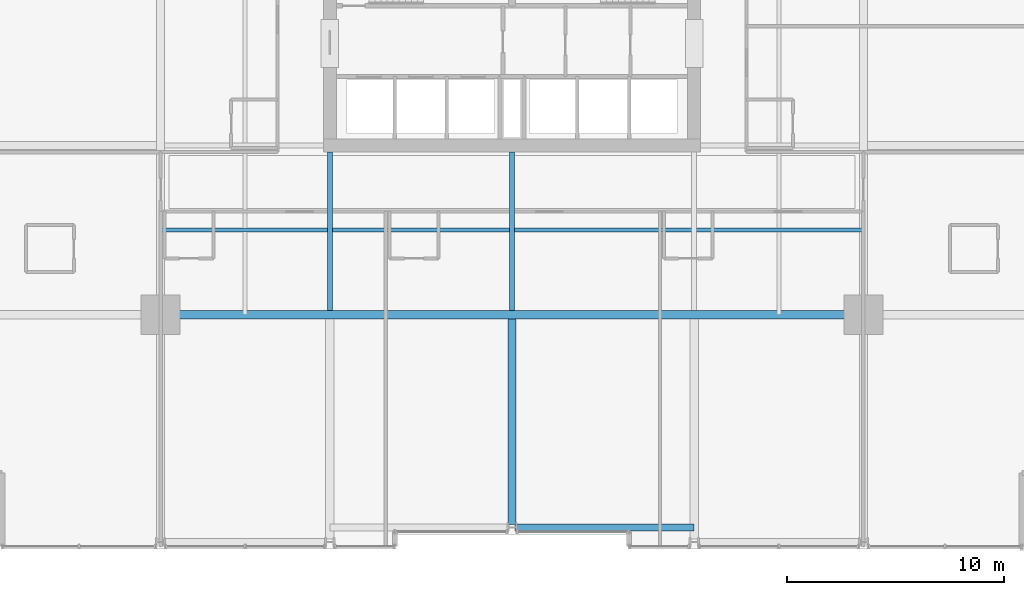
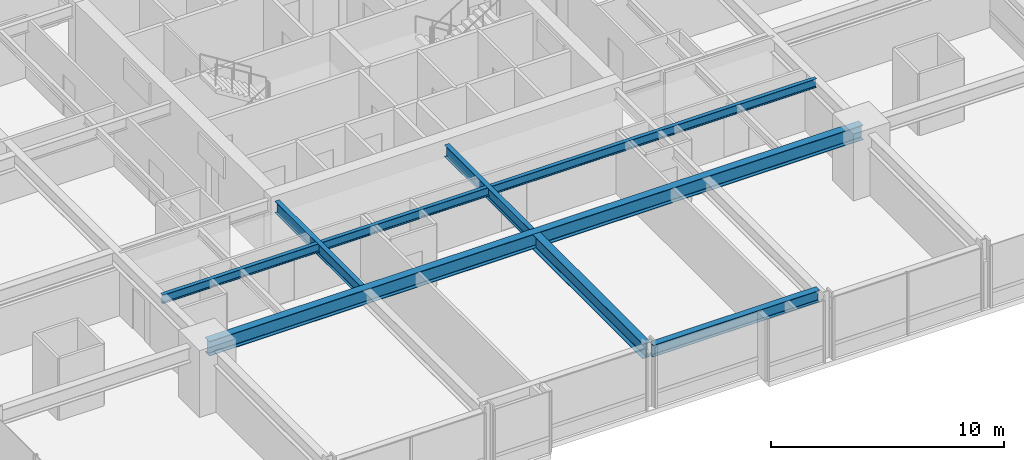
# One storey, part 6 of 38: 6 beams.
"""IFC4 building model written with IfcOpenShell, lengths in metres."""

from ifc_helpers import new_model, si_unit, direction, frame, origin, origin_2d, place, context, subcontext, project, spatial, i_section, extrude, material, material_profile, profile_set, type_object, element, save


model = new_model("IFC4")

# Units and contexts
model_context = context("Model", 3, precision=1e-05, world=origin(), true_north=direction((0.0, 1.0)))
body_context = subcontext(model_context, "Body", "Model", "MODEL_VIEW")
ifc_project = project(units=[si_unit("LENGTHUNIT", "METRE"), si_unit("AREAUNIT", "SQUARE_METRE"), si_unit("VOLUMEUNIT", "CUBIC_METRE"), si_unit("PLANEANGLEUNIT", "RADIAN"), si_unit("MASSUNIT", "GRAM", prefix="KILO")], contexts=[model_context])

# Site, building, storey
site_placement = place(None, origin())
site = spatial("IfcSite", under=ifc_project, at=site_placement, CompositionType="ELEMENT")
building_placement = place(site_placement, origin())
building = spatial("IfcBuilding", under=site, at=building_placement, Name="Drelvath Grand Hotel", CompositionType="ELEMENT")
storey_placement = place(building_placement, frame((0.0, 0.0, 68.199951171875)))
storey = spatial("IfcBuildingStorey", under=building, at=storey_placement, Name="L16", CompositionType="ELEMENT", Elevation=68.199951171875)

# Beams
ifc_material = material(Name="Steel ASTM A992 Gr 50", Category="steel")
ifc_material_profile_1 = material_profile(ifc_material, i_section(OverallWidth=0.19140625, OverallDepth=0.4599609375, WebThickness=0.010009765625, FlangeThickness=0.01611328125, FilletRadius=0.01611328125, at=origin_2d()), Name="W18X55")
ifc_profile_set_1 = profile_set([ifc_material_profile_1], Name="Steel ASTM A992 Gr 50")
beam_type_1 = type_object("IfcBeamType", Name="Composite Floor Joist W18X55", PredefinedType="JOIST", material=ifc_profile_set_1)
beam_1_placement = place(storey_placement, frame((-16.199951171875, 14.699951171875, 3.010009765625), z_axis=(1.0, 0.0, 0.0), x_axis=(0.0, 1.0, 0.0)))
element("IfcBeam", 1, at=beam_1_placement, inside=storey, type_object=beam_type_1, Name="L16 Floor Joist J1", PredefinedType="JOIST", context=body_context, shape_type="SweptSolid", body=[
    extrude(i_section(OverallWidth=0.19140625, OverallDepth=0.4599609375, WebThickness=0.010009765625, FlangeThickness=0.01611328125, FilletRadius=0.01611328125, at=origin_2d()), origin(), (0.0, 0.0, 1.0), 32.39990234375),
])
ifc_material_profile_2 = material_profile(ifc_material, i_section(OverallWidth=0.323974609375, OverallDepth=0.611083984375, WebThickness=0.0126953125, FlangeThickness=0.01904296875, FilletRadius=0.02197265625, at=origin_2d()), Name="W24X104")
ifc_profile_set_2 = profile_set([ifc_material_profile_2], Name="Steel ASTM A992 Gr 50")
beam_type_2 = type_object("IfcBeamType", Name="Perimeter Spandrel Beam W24X104", PredefinedType="SPANDREL", material=ifc_profile_set_2)
beam_2_placement = place(storey_placement, frame((0.139892578125, 1.0, 2.9345703125), z_axis=(1.0, 0.0, 0.0), x_axis=(0.0, 1.0, 0.0)))
element("IfcBeam", 2, at=beam_2_placement, inside=storey, type_object=beam_type_2, Name="L16 Spandrel South Mid E", PredefinedType="SPANDREL", context=body_context, shape_type="SweptSolid", body=[
    extrude(i_section(OverallWidth=0.323974609375, OverallDepth=0.611083984375, WebThickness=0.0126953125, FlangeThickness=0.01904296875, FilletRadius=0.02197265625, at=origin_2d()), origin(), (0.0, 0.0, 1.0), 8.260009765625),
])
ifc_material_profile_3 = material_profile(ifc_material, i_section(OverallWidth=0.228271484375, OverallDepth=0.607666015625, WebThickness=0.01123046875, FlangeThickness=0.017333984375, FilletRadius=0.02001953125, at=origin_2d()), Name="W24X76")
ifc_profile_set_3 = profile_set([ifc_material_profile_3], Name="Steel ASTM A992 Gr 50")
beam_type_3 = type_object("IfcBeamType", Name="Primary Floor Girder W24X76", PredefinedType="BEAM", material=ifc_profile_set_3)
for number, where, z_axis, x_axis, name in (
    (3, (-8.39990234375, 10.990234375, 2.936279296875), (0.0, 1.0, 0.0), (-1.0, 0.0, 0.0), "L16 South Core Tie 4"),
    (4, (0.0, 10.990234375, 2.936279296875), (0.0, 1.0, 0.0), (-1.0, 0.0, 0.0), "L16 South Core Tie 5"),
):
    element("IfcBeam", number, at=place(storey_placement, frame(where, z_axis=z_axis, x_axis=x_axis)), inside=storey, type_object=beam_type_3, Name=name, PredefinedType="BEAM", context=body_context, shape_type="SweptSolid", body=[
        extrude(i_section(OverallWidth=0.228271484375, OverallDepth=0.607666015625, WebThickness=0.01123046875, FlangeThickness=0.017333984375, FilletRadius=0.02001953125, at=origin_2d()), origin(), (0.0, 0.0, 1.0), 7.309814453125),
    ])
ifc_material_profile_4 = material_profile(ifc_material, i_section(OverallWidth=0.380615234375, OverallDepth=0.773193359375, WebThickness=0.0166015625, FlangeThickness=0.027099609375, FilletRadius=0.02490234375, at=origin_2d()), Name="W30X173")
ifc_profile_set_4 = profile_set([ifc_material_profile_4], Name="Steel ASTM A992 Gr 50")
beam_type_4 = type_object("IfcBeamType", Name="Primary Floor Girder W30X173", PredefinedType="BEAM", material=ifc_profile_set_4)
beam_3_placement = place(storey_placement, frame((-16.199951171875, 10.800048828125, 2.853515625), z_axis=(1.0, 0.0, 0.0), x_axis=(0.0, 1.0, 0.0)))
element("IfcBeam", 5, at=beam_3_placement, inside=storey, type_object=beam_type_4, Name="L16 Mega Ring Girder South", PredefinedType="BEAM", context=body_context, shape_type="SweptSolid", body=[
    extrude(i_section(OverallWidth=0.380615234375, OverallDepth=0.773193359375, WebThickness=0.0166015625, FlangeThickness=0.027099609375, FilletRadius=0.02490234375, at=origin_2d()), origin(), (0.0, 0.0, 1.0), 32.39990234375),
])
beam_4_placement = place(storey_placement, frame((0.0, 1.139892578125, 2.853515625), z_axis=(0.0, 1.0, 0.0), x_axis=(-1.0, 0.0, 0.0)))
element("IfcBeam", 6, at=beam_4_placement, inside=storey, type_object=beam_type_4, Name="L16 South Wing Girder 5", PredefinedType="BEAM", context=body_context, shape_type="SweptSolid", body=[
    extrude(i_section(OverallWidth=0.380615234375, OverallDepth=0.773193359375, WebThickness=0.0166015625, FlangeThickness=0.027099609375, FilletRadius=0.02490234375, at=origin_2d()), origin(), (0.0, 0.0, 1.0), 9.4697265625),
])

save(model, "model.ifc")
